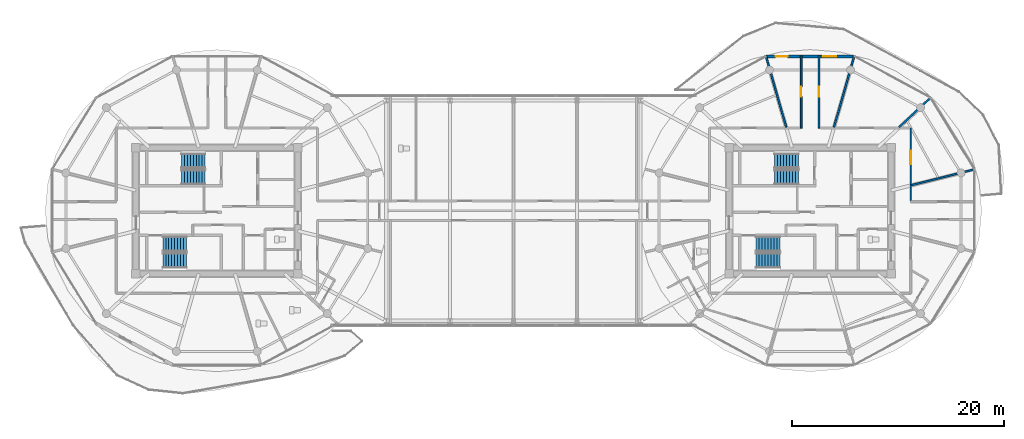
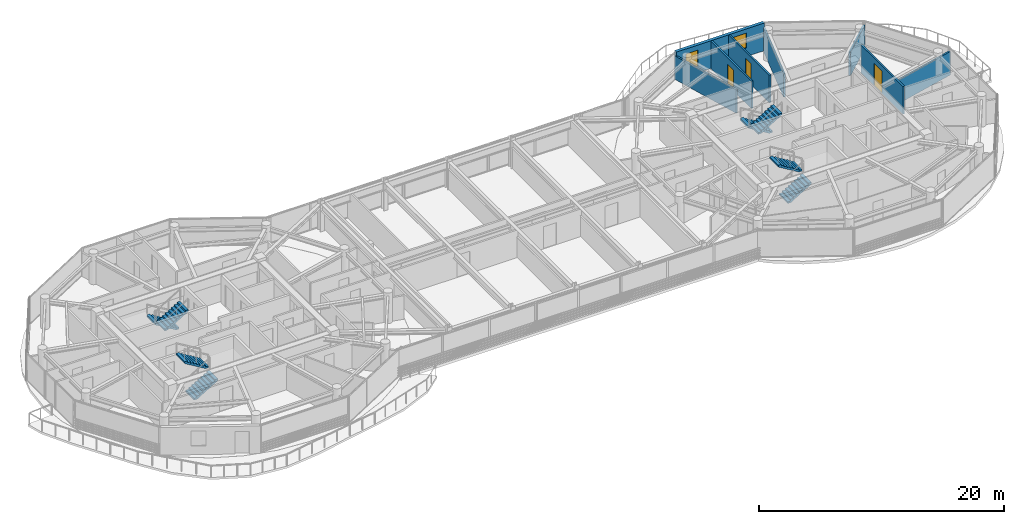
# One storey, part 19 of 24: 8 stair flights, 8 walls, 4 doors, 1 window, 5 openings, 4 elements without a shape of their own.
"""IFC4 building model written with IfcOpenShell, lengths in metres."""

from ifc_helpers import new_model, si_unit, direction, frame, frame_2d, origin, place, context, subcontext, project, spatial, polyline, rectangle, outline, extrude, source, transform, mapped, material, layer, layer_set, type_object, type_shapes, element, fill, aggregate, save


model = new_model("IFC4")

# Units and contexts
model_context = context("Model", 3, precision=1e-05, world=origin(), true_north=direction((0.0, 1.0)))
body_context = subcontext(model_context, "Body", "Model", "MODEL_VIEW")
ifc_project = project(units=[si_unit("LENGTHUNIT", "METRE"), si_unit("AREAUNIT", "SQUARE_METRE"), si_unit("VOLUMEUNIT", "CUBIC_METRE"), si_unit("PLANEANGLEUNIT", "RADIAN"), si_unit("MASSUNIT", "GRAM", prefix="KILO")], contexts=[model_context])

# Site, building, storey
site_placement = place(None, origin())
site = spatial("IfcSite", under=ifc_project, at=site_placement, CompositionType="ELEMENT")
building_placement = place(site_placement, origin())
building = spatial("IfcBuilding", under=site, at=building_placement, Name="Norrkilde Senior Care Towers", CompositionType="ELEMENT")
storey_placement = place(building_placement, frame((0.0, 0.0, 226.10009765625)))
storey = spatial("IfcBuildingStorey", under=building, at=storey_placement, Name="L70", CompositionType="ELEMENT", Elevation=226.10009765625)

# Wall, openings, door, window
ifc_material_1 = material(Name="Precast concrete C45/55", Category="concrete")
ifc_layer_1 = layer(ifc_material_1, 0.2900390625)
ifc_layer_set_1 = layer_set([ifc_layer_1], Name="Precast concrete C45/55")
wall_type_1 = type_object("IfcWallType", Name="Winter Garden Facade Wall 290", PredefinedType="SOLIDWALL", material=ifc_layer_set_1)
shared_shape_1 = source(origin(), body_context, "Body", "SweptSolid", [
    extrude(rectangle(XDim=8.32373046875, YDim=0.2900390625, at=frame_2d((4.161865234375, 0.0))), origin(), (0.0, 0.0, 1.0), 2.760009765625),
])
type_shapes(wall_type_1, [shared_shape_1])
wall_1_placement = place(storey_placement, frame((23.838134765625, 14.566162109375, 0.0), z_axis=(0.0, 0.0, 1.0), x_axis=(1.0, 0.0, 0.0)))
wall_1 = element("IfcWall", 1, at=wall_1_placement, inside=storey, type_object=wall_type_1, Name="L70 Drum E Balcony Access Wall 02", PredefinedType="SOLIDWALL", context=body_context, shape_type="MappedRepresentation", body=[
    mapped(shared_shape_1, transform((0.0, 0.0, 0.0), x_axis=(1.0, 0.0, 0.0), y_axis=(0.0, 1.0, 0.0), z_axis=(0.0, 0.0, 1.0), scale=1.0)),
])
opening_1_placement = place(wall_1_placement, frame((0.89990234375, 0.0, 0.0)))
opening_1 = element("IfcOpeningElement", 2, at=opening_1_placement, cuts=wall_1, Name="Opening D-09", PredefinedType="OPENING", context=body_context, shape_type="SweptSolid", body=[
    extrude(rectangle(XDim=1.14990234375, YDim=2.25, at=frame_2d((0.574951171875, 1.125))), frame((0.0, 0.155029296875, 0.0), z_axis=(0.0, -1.0, 0.0), x_axis=(1.0, 0.0, 0.0)), (0.0, 0.0, 1.0), 0.31005859375),
])
opening_2_placement = place(wall_1_placement, frame((5.411865234375, 0.0, 0.85009765625)))
opening_2 = element("IfcOpeningElement", 3, at=opening_2_placement, cuts=wall_1, Name="Opening WN-07", PredefinedType="OPENING", context=body_context, shape_type="SweptSolid", body=[
    extrude(rectangle(XDim=1.199951171875, YDim=1.5, at=frame_2d((0.60009765625, 0.75))), frame((0.0, 0.155029296875, 0.0), z_axis=(0.0, -1.0, 0.0), x_axis=(1.0, 0.0, 0.0)), (0.0, 0.0, 1.0), 0.31005859375),
])
ifc_material_2 = material(Name="Anodised Aluminium", Category="aluminium")
door_type_1 = type_object("IfcDoorType", Name="Terrace and Balcony Glazed Door 1150x2250", OperationType="NOTDEFINED", PredefinedType="DOOR", material=ifc_material_2)
shared_shape_2 = source(origin(), body_context, "Body", "SweptSolid", [
    extrude(rectangle(XDim=1.14990234375, YDim=2.25, at=frame_2d((0.574951171875, 1.125))), frame((0.0, 0.02490234375, 0.0), z_axis=(0.0, -1.0, 0.0), x_axis=(1.0, 0.0, 0.0)), (0.0, 0.0, 1.0), 0.050048828125),
])
type_shapes(door_type_1, [shared_shape_2])
door_1_placement = place(opening_1_placement, origin())
door_1 = element("IfcDoor", 4, at=door_1_placement, inside=storey, type_object=door_type_1, Name="L70 Drum E Outdoor Terrace Door 02", OperationType="SINGLE_SWING_LEFT", OverallHeight=2.25, OverallWidth=1.14990234375, PredefinedType="DOOR", context=body_context, shape_type="MappedRepresentation", body=[
    mapped(shared_shape_2, transform((0.0, 0.0, 0.0), x_axis=(1.0, 0.0, 0.0), y_axis=(0.0, 1.0, 0.0), z_axis=(0.0, 0.0, 1.0), scale=1.0)),
])
fill(opening_1, door_1)
ifc_material_3 = material(Name="Triple Low-E Insulated Glazing", Category="glass")
window_type = type_object("IfcWindowType", Name="Stairwell Smoke Vent Window 1200x1500", PartitioningType="SINGLE_PANEL", PredefinedType="WINDOW", material=ifc_material_3)
shared_shape_3 = source(origin(), body_context, "Body", "SweptSolid", [
    extrude(rectangle(XDim=1.199951171875, YDim=1.5, at=frame_2d((0.60009765625, 0.75))), frame((0.0, 0.030029296875, 0.0), z_axis=(0.0, -1.0, 0.0), x_axis=(1.0, 0.0, 0.0)), (0.0, 0.0, 1.0), 0.06005859375),
])
type_shapes(window_type, [shared_shape_3])
window_placement = place(opening_2_placement, origin())
window = element("IfcWindow", 5, at=window_placement, inside=storey, type_object=window_type, Name="L70 Drum E Winter Garden Window 02", OverallHeight=1.5, OverallWidth=1.199951171875, PartitioningType="SINGLE_PANEL", PredefinedType="WINDOW", context=body_context, shape_type="MappedRepresentation", body=[
    mapped(shared_shape_3, transform((0.0, 0.0, 0.0), x_axis=(1.0, 0.0, 0.0), y_axis=(0.0, 1.0, 0.0), z_axis=(0.0, 0.0, 1.0), scale=1.0)),
])
fill(opening_2, window)

# Walls
ifc_material_4 = material(Name="Gypsum Acoustic Board")
ifc_layer_2 = layer(ifc_material_4, 0.1650390625)
ifc_layer_set_2 = layer_set([ifc_layer_2], Name="Gypsum Acoustic Board")
wall_type_2 = type_object("IfcWallType", Name="Corridor Rated Partition 165", PredefinedType="PARTITIONING", material=ifc_layer_set_2)
shared_shape_4 = source(origin(), body_context, "Body", "SweptSolid", [
    extrude(rectangle(XDim=6.973876953125, YDim=0.1650390625, at=frame_2d((3.48681640625, 0.0))), origin(), (0.0, 0.0, 1.0), 2.344970703125),
])
for number, where, z_axis, x_axis, name in (
    (6, (30.251220703125, 7.8798828125, 0.0), (0.0, 0.0, 1.0), (0.274707256801, 0.961527910703, 0.0), "WL-INT-L70-E-DEM-02-0"),
    (7, (25.748779296875, 7.8798828125, 0.0), (0.0, 0.0, 1.0), (-0.274707256801, 0.961527910703, 0.0), "WL-INT-L70-E-DEM-03-0"),
):
    element("IfcWall", number, at=place(storey_placement, frame(where, z_axis=z_axis, x_axis=x_axis)), inside=storey, type_object=wall_type_2, Name=name, PredefinedType="PARTITIONING", context=body_context, shape_type="MappedRepresentation", body=[
        mapped(shared_shape_4, transform((0.0, 0.0, 0.0), x_axis=(1.0, 0.0, 0.0), y_axis=(0.0, 1.0, 0.0), z_axis=(0.0, 0.0, 1.0), scale=1.0)),
    ])
shared_shape_5 = source(origin(), body_context, "Body", "SweptSolid", [
    extrude(rectangle(XDim=6.1572265625, YDim=0.1650390625, at=frame_2d((3.07861328125, 0.0))), origin(), (0.0, 0.0, 1.0), 2.344970703125),
])
wall_2_placement = place(storey_placement, frame((37.580078125, 2.407470703125, 0.0), z_axis=(0.0, 0.0, 1.0), x_axis=(0.969840867184, 0.243738984038, 0.0)))
element("IfcWall", 8, at=wall_2_placement, inside=storey, type_object=wall_type_2, Name="WL-INT-L70-E-DEM-00-0", PredefinedType="PARTITIONING", context=body_context, shape_type="MappedRepresentation", body=[
    mapped(shared_shape_5, transform((0.0, 0.0, 0.0), x_axis=(1.0, 0.0, 0.0), y_axis=(0.0, 1.0, 0.0), z_axis=(0.0, 0.0, 1.0), scale=1.0)),
])
ifc_layer_3 = layer(ifc_material_4, 0.18994140625)
ifc_layer_set_3 = layer_set([ifc_layer_3], Name="Gypsum Acoustic Board")
wall_type_3 = type_object("IfcWallType", Name="Unit Demising Acoustic Wall 190", PredefinedType="PARTITIONING", material=ifc_layer_set_3)
shared_shape_6 = source(origin(), body_context, "Body", "SweptSolid", [
    extrude(rectangle(XDim=4.089111328125, YDim=0.18994140625, at=frame_2d((2.04443359375, 0.0))), origin(), (0.0, 0.0, 1.0), 2.344970703125),
])
type_shapes(wall_type_3, [shared_shape_6])
wall_3_placement = place(storey_placement, frame((36.40185546875, 7.8798828125, 0.0), z_axis=(0.0, 0.0, 1.0), x_axis=(0.729401273609, 0.684086092577, 0.0)))
element("IfcWall", 9, at=wall_3_placement, inside=storey, type_object=wall_type_3, Name="WL-INT-L70-E-DEM-01-0", PredefinedType="PARTITIONING", context=body_context, shape_type="MappedRepresentation", body=[
    mapped(shared_shape_6, transform((0.0, 0.0, 0.0), x_axis=(1.0, 0.0, 0.0), y_axis=(0.0, 1.0, 0.0), z_axis=(0.0, 0.0, 1.0), scale=1.0)),
])

# Wall, opening, door
shared_shape_7 = source(origin(), body_context, "Body", "SweptSolid", [
    extrude(rectangle(XDim=6.880126953125, YDim=0.1650390625, at=frame_2d((3.43994140625, 0.0))), origin(), (0.0, 0.0, 1.0), 2.744873046875),
])
wall_4_placement = place(storey_placement, frame((37.5, 7.800048828125, 0.0), z_axis=(0.0, 0.0, 1.0), x_axis=(0.0, -1.0, 0.0)))
wall_4 = element("IfcWall", 10, at=wall_4_placement, inside=storey, type_object=wall_type_2, Name="WL-INT-L70-E-CRW-E-0", PredefinedType="PARTITIONING", context=body_context, shape_type="MappedRepresentation", body=[
    mapped(shared_shape_7, transform((0.0, 0.0, 0.0), x_axis=(1.0, 0.0, 0.0), y_axis=(0.0, 1.0, 0.0), z_axis=(0.0, 0.0, 1.0), scale=1.0)),
])
opening_3_placement = place(wall_4_placement, frame((2.165771484375, 0.0, 0.0)))
opening_3 = element("IfcOpeningElement", 11, at=opening_3_placement, cuts=wall_4, Name="Opening D-05", PredefinedType="OPENING", context=body_context, shape_type="SweptSolid", body=[
    extrude(rectangle(XDim=1.25, YDim=2.199951171875, at=frame_2d((0.625, 1.10009765625))), frame((0.0, 0.092529296875, 0.0), z_axis=(0.0, -1.0, 0.0), x_axis=(1.0, 0.0, 0.0)), (0.0, 0.0, 1.0), 0.18505859375),
])
ifc_material_5 = material(Name="Nordic Ash Timber", Category="wood")
door_type_2 = type_object("IfcDoorType", Name="Care Bedroom Bariatric Door 1250x2200", OperationType="NOTDEFINED", PredefinedType="DOOR", material=ifc_material_5)
shared_shape_8 = source(origin(), body_context, "Body", "SweptSolid", [
    extrude(rectangle(XDim=1.25, YDim=2.199951171875, at=frame_2d((0.625, 1.10009765625))), frame((0.0, 0.02490234375, 0.0), z_axis=(0.0, -1.0, 0.0), x_axis=(1.0, 0.0, 0.0)), (0.0, 0.0, 1.0), 0.050048828125),
])
type_shapes(door_type_2, [shared_shape_8])
door_2_placement = place(opening_3_placement, frame((1.25, 0.0, 0.0), z_axis=(0.0, 0.0, 1.0), x_axis=(-1.0, 0.0, 0.0)))
door_2 = element("IfcDoor", 12, at=door_2_placement, inside=storey, type_object=door_type_2, Name="L70 Sky-Garden Observatory Dining Salon L70 Door", OperationType="SINGLE_SWING_LEFT", OverallHeight=2.199951171875, OverallWidth=1.25, PredefinedType="DOOR", context=body_context, shape_type="MappedRepresentation", body=[
    mapped(shared_shape_8, transform((0.0, 0.0, 0.0), x_axis=(1.0, 0.0, 0.0), y_axis=(0.0, 1.0, 0.0), z_axis=(0.0, 0.0, 1.0), scale=1.0)),
])
fill(opening_3, door_2)

shared_shape_9 = source(origin(), body_context, "Body", "SweptSolid", [
    extrude(rectangle(XDim=6.83544921875, YDim=0.1650390625, at=frame_2d((3.417724609375, 0.0))), origin(), (0.0, 0.0, 1.0), 2.744873046875),
])
type_shapes(wall_type_2, [shared_shape_4, shared_shape_5, shared_shape_7, shared_shape_9])
wall_5_placement = place(storey_placement, frame((27.159912109375, 7.800048828125, 0.0), z_axis=(0.0, 0.0, 1.0), x_axis=(0.0, 1.0, 0.0)))
wall_5 = element("IfcWall", 13, at=wall_5_placement, inside=storey, type_object=wall_type_2, Name="WL-INT-L70-E-SPK-N1-0", PredefinedType="PARTITIONING", context=body_context, shape_type="MappedRepresentation", body=[
    mapped(shared_shape_9, transform((0.0, 0.0, 0.0), x_axis=(1.0, 0.0, 0.0), y_axis=(0.0, 1.0, 0.0), z_axis=(0.0, 0.0, 1.0), scale=1.0)),
])
opening_4_placement = place(wall_5_placement, frame((2.942626953125, 0.0, 0.0)))
opening_4 = element("IfcOpeningElement", 14, at=opening_4_placement, cuts=wall_5, Name="Opening D-07", PredefinedType="OPENING", context=body_context, shape_type="SweptSolid", body=[
    extrude(rectangle(XDim=0.949951171875, YDim=2.10009765625, at=frame_2d((0.47509765625, 1.050048828125))), frame((0.0, 0.092529296875, 0.0), z_axis=(0.0, -1.0, 0.0), x_axis=(1.0, 0.0, 0.0)), (0.0, 0.0, 1.0), 0.18505859375),
])
door_type_3 = type_object("IfcDoorType", Name="Internal Suite Bedroom Door 950x2100", OperationType="NOTDEFINED", PredefinedType="DOOR", material=ifc_material_5)
shared_shape_10 = source(origin(), body_context, "Body", "SweptSolid", [
    extrude(rectangle(XDim=0.949951171875, YDim=2.10009765625, at=frame_2d((0.47509765625, 1.050048828125))), frame((0.0, 0.02490234375, 0.0), z_axis=(0.0, -1.0, 0.0), x_axis=(1.0, 0.0, 0.0)), (0.0, 0.0, 1.0), 0.050048828125),
])
type_shapes(door_type_3, [shared_shape_10])
door_3_placement = place(opening_4_placement, frame((0.949951171875, 0.0, 0.0), z_axis=(0.0, 0.0, 1.0), x_axis=(-1.0, 0.0, 0.0)))
door_3 = element("IfcDoor", 15, at=door_3_placement, inside=storey, type_object=door_type_3, Name="L70 Sun Reading Lounge 3 Door", OperationType="SINGLE_SWING_RIGHT", OverallHeight=2.10009765625, OverallWidth=0.949951171875, PredefinedType="DOOR", context=body_context, shape_type="MappedRepresentation", body=[
    mapped(shared_shape_10, transform((0.0, 0.0, 0.0), x_axis=(1.0, 0.0, 0.0), y_axis=(0.0, 1.0, 0.0), z_axis=(0.0, 0.0, 1.0), scale=1.0)),
])
fill(opening_4, door_3)

wall_6_placement = place(storey_placement, frame((28.840087890625, 14.635498046875, 0.0), z_axis=(0.0, 0.0, 1.0), x_axis=(0.0, -1.0, 0.0)))
wall_6 = element("IfcWall", 16, at=wall_6_placement, inside=storey, type_object=wall_type_2, Name="WL-INT-L70-E-SPK-N2-0", PredefinedType="PARTITIONING", context=body_context, shape_type="MappedRepresentation", body=[
    mapped(shared_shape_9, transform((0.0, 0.0, 0.0), x_axis=(1.0, 0.0, 0.0), y_axis=(0.0, 1.0, 0.0), z_axis=(0.0, 0.0, 1.0), scale=1.0)),
])
opening_5_placement = place(wall_6_placement, frame((2.942626953125, 0.0, 0.0)))
opening_5 = element("IfcOpeningElement", 17, at=opening_5_placement, cuts=wall_6, Name="Opening D-07", PredefinedType="OPENING", context=body_context, shape_type="SweptSolid", body=[
    extrude(rectangle(XDim=0.949951171875, YDim=2.10009765625, at=frame_2d((0.47509765625, 1.050048828125))), frame((0.0, 0.092529296875, 0.0), z_axis=(0.0, -1.0, 0.0), x_axis=(1.0, 0.0, 0.0)), (0.0, 0.0, 1.0), 0.18505859375),
])
door_4_placement = place(opening_5_placement, frame((0.949951171875, 0.0, 0.0), z_axis=(0.0, 0.0, 1.0), x_axis=(-1.0, 0.0, 0.0)))
door_4 = element("IfcDoor", 18, at=door_4_placement, inside=storey, type_object=door_type_3, Name="L70 Sun Reading Lounge 4 Door", OperationType="SINGLE_SWING_LEFT", OverallHeight=2.10009765625, OverallWidth=0.949951171875, PredefinedType="DOOR", context=body_context, shape_type="MappedRepresentation", body=[
    mapped(shared_shape_10, transform((0.0, 0.0, 0.0), x_axis=(1.0, 0.0, 0.0), y_axis=(0.0, 1.0, 0.0), z_axis=(0.0, 0.0, 1.0), scale=1.0)),
])
fill(opening_5, door_4)

# Stair, stair flights
ifc_material_6 = material(Name="Concrete C45/55", Category="concrete")
stair_type = type_object("IfcStairType", Name="Core Protected Dogleg Stair Typical 3050", PredefinedType="HALF_TURN_STAIR", material=ifc_material_6)
stair_1_placement = place(storey_placement, origin())
stair_1 = element("IfcStair", 19, at=stair_1_placement, inside=storey, type_object=stair_type, Name="L70 Protected Core Stair W1", PredefinedType="HALF_TURN_STAIR")
stair_flight_type = type_object("IfcStairFlightType", Name="Core Protected Dogleg Stair Typical 3050 Flight", PredefinedType="STRAIGHT", material=ifc_material_6)
stair_flight_1_placement = place(storey_placement, frame((-29.10009765625, 4.699951171875, 0.0), z_axis=(0.0, 0.0, 1.0), x_axis=(-1.0, 0.0, 0.0)))
stair_flight_1 = element("IfcStairFlight", 20, at=stair_flight_1_placement, type_object=stair_flight_type, Name="ST-W1 flight 1", NumberOfRisers=9, NumberOfTreads=8, PredefinedType="STRAIGHT", RiserHeight=0.169444444, TreadLength=0.28, context=body_context, shape_type="SweptSolid", body=[
    extrude(outline(polyline([(0.0, 0.0), (0.0, 0.16943359375), (0.280029296875, 0.16943359375), (0.280029296875, 0.3388671875), (0.56005859375, 0.3388671875), (0.56005859375, 0.50830078125), (0.840087890625, 0.50830078125), (0.840087890625, 0.677734375), (1.1201171875, 0.677734375), (1.1201171875, 0.84716796875), (1.39990234375, 0.84716796875), (1.39990234375, 1.0166015625), (1.679931640625, 1.0166015625), (1.679931640625, 1.18603515625), (1.9599609375, 1.18603515625), (1.9599609375, 1.35546875), (2.239990234375, 1.35546875), (2.239990234375, 1.52490234375), (2.239990234375, 1.180419921875), (0.28955078125, 0.0), (0.0, 0.0)])), frame((0.0, 0.699951171875, 0.0), z_axis=(0.0, -1.0, 0.0), x_axis=(1.0, 0.0, 0.0)), (0.0, 0.0, 1.0), 1.39990234375),
])
stair_flight_2_placement = place(storey_placement, frame((-31.340087890625, 3.14990234375, 1.52490234375), z_axis=(0.0, 0.0, 1.0), x_axis=(1.0, 0.0, 0.0)))
stair_flight_2 = element("IfcStairFlight", 21, at=stair_flight_2_placement, type_object=stair_flight_type, Name="ST-W1 flight 2", NumberOfRisers=9, NumberOfTreads=8, PredefinedType="STRAIGHT", RiserHeight=0.169444444, TreadLength=0.28, context=body_context, shape_type="SweptSolid", body=[
    extrude(outline(polyline([(0.0, 0.0), (0.0, 0.16943359375), (0.280029296875, 0.16943359375), (0.280029296875, 0.3388671875), (0.56005859375, 0.3388671875), (0.56005859375, 0.50830078125), (0.840087890625, 0.50830078125), (0.840087890625, 0.677734375), (1.1201171875, 0.677734375), (1.1201171875, 0.84716796875), (1.39990234375, 0.84716796875), (1.39990234375, 1.0166015625), (1.679931640625, 1.0166015625), (1.679931640625, 1.18603515625), (1.9599609375, 1.18603515625), (1.9599609375, 1.35546875), (2.239990234375, 1.35546875), (2.239990234375, 1.52490234375), (2.239990234375, 1.180419921875), (0.28955078125, 0.0), (0.0, 0.0)])), frame((0.0, 0.699951171875, 0.0), z_axis=(0.0, -1.0, 0.0), x_axis=(1.0, 0.0, 0.0)), (0.0, 0.0, 1.0), 1.39990234375),
])
aggregate(stair_1, [stair_flight_1, stair_flight_2])

stair_2_placement = place(storey_placement, origin())
stair_2 = element("IfcStair", 22, at=stair_2_placement, inside=storey, type_object=stair_type, Name="L70 Protected Core Stair W2", PredefinedType="HALF_TURN_STAIR")
stair_flight_3_placement = place(storey_placement, frame((-33.10009765625, -4.699951171875, 0.0), z_axis=(0.0, 0.0, 1.0), x_axis=(1.0, 0.0, 0.0)))
stair_flight_3 = element("IfcStairFlight", 23, at=stair_flight_3_placement, type_object=stair_flight_type, Name="ST-W2 flight 1", NumberOfRisers=9, NumberOfTreads=8, PredefinedType="STRAIGHT", RiserHeight=0.169444444, TreadLength=0.28, context=body_context, shape_type="SweptSolid", body=[
    extrude(outline(polyline([(0.0, 0.0), (0.0, 0.16943359375), (0.280029296875, 0.16943359375), (0.280029296875, 0.3388671875), (0.56005859375, 0.3388671875), (0.56005859375, 0.50830078125), (0.840087890625, 0.50830078125), (0.840087890625, 0.677734375), (1.1201171875, 0.677734375), (1.1201171875, 0.84716796875), (1.39990234375, 0.84716796875), (1.39990234375, 1.0166015625), (1.679931640625, 1.0166015625), (1.679931640625, 1.18603515625), (1.9599609375, 1.18603515625), (1.9599609375, 1.35546875), (2.239990234375, 1.35546875), (2.239990234375, 1.52490234375), (2.239990234375, 1.180419921875), (0.28955078125, 0.0), (0.0, 0.0)])), frame((0.0, 0.699951171875, 0.0), z_axis=(0.0, -1.0, 0.0), x_axis=(1.0, 0.0, 0.0)), (0.0, 0.0, 1.0), 1.39990234375),
])
stair_flight_4_placement = place(storey_placement, frame((-30.860107421875, -3.14990234375, 1.52490234375), z_axis=(0.0, 0.0, 1.0), x_axis=(-1.0, 0.0, 0.0)))
stair_flight_4 = element("IfcStairFlight", 24, at=stair_flight_4_placement, type_object=stair_flight_type, Name="ST-W2 flight 2", NumberOfRisers=9, NumberOfTreads=8, PredefinedType="STRAIGHT", RiserHeight=0.169444444, TreadLength=0.28, context=body_context, shape_type="SweptSolid", body=[
    extrude(outline(polyline([(0.0, 0.0), (0.0, 0.16943359375), (0.280029296875, 0.16943359375), (0.280029296875, 0.3388671875), (0.56005859375, 0.3388671875), (0.56005859375, 0.50830078125), (0.840087890625, 0.50830078125), (0.840087890625, 0.677734375), (1.1201171875, 0.677734375), (1.1201171875, 0.84716796875), (1.39990234375, 0.84716796875), (1.39990234375, 1.0166015625), (1.679931640625, 1.0166015625), (1.679931640625, 1.18603515625), (1.9599609375, 1.18603515625), (1.9599609375, 1.35546875), (2.239990234375, 1.35546875), (2.239990234375, 1.52490234375), (2.239990234375, 1.180419921875), (0.28955078125, 0.0), (0.0, 0.0)])), frame((0.0, 0.699951171875, 0.0), z_axis=(0.0, -1.0, 0.0), x_axis=(1.0, 0.0, 0.0)), (0.0, 0.0, 1.0), 1.39990234375),
])
aggregate(stair_2, [stair_flight_3, stair_flight_4])

stair_3_placement = place(storey_placement, origin())
stair_3 = element("IfcStair", 25, at=stair_3_placement, inside=storey, type_object=stair_type, Name="L70 Protected Core Stair E1", PredefinedType="HALF_TURN_STAIR")
stair_flight_5_placement = place(storey_placement, frame((26.89990234375, 4.699951171875, 0.0), z_axis=(0.0, 0.0, 1.0), x_axis=(-1.0, 0.0, 0.0)))
stair_flight_5 = element("IfcStairFlight", 26, at=stair_flight_5_placement, type_object=stair_flight_type, Name="ST-E1 flight 1", NumberOfRisers=9, NumberOfTreads=8, PredefinedType="STRAIGHT", RiserHeight=0.169444444, TreadLength=0.28, context=body_context, shape_type="SweptSolid", body=[
    extrude(outline(polyline([(0.0, 0.0), (0.0, 0.16943359375), (0.280029296875, 0.16943359375), (0.280029296875, 0.3388671875), (0.56005859375, 0.3388671875), (0.56005859375, 0.50830078125), (0.840087890625, 0.50830078125), (0.840087890625, 0.677734375), (1.1201171875, 0.677734375), (1.1201171875, 0.84716796875), (1.39990234375, 0.84716796875), (1.39990234375, 1.0166015625), (1.679931640625, 1.0166015625), (1.679931640625, 1.18603515625), (1.9599609375, 1.18603515625), (1.9599609375, 1.35546875), (2.239990234375, 1.35546875), (2.239990234375, 1.52490234375), (2.239990234375, 1.180419921875), (0.28955078125, 0.0), (0.0, 0.0)])), frame((0.0, 0.699951171875, 0.0), z_axis=(0.0, -1.0, 0.0), x_axis=(1.0, 0.0, 0.0)), (0.0, 0.0, 1.0), 1.39990234375),
])
stair_flight_6_placement = place(storey_placement, frame((24.659912109375, 3.14990234375, 1.52490234375), z_axis=(0.0, 0.0, 1.0), x_axis=(1.0, 0.0, 0.0)))
stair_flight_6 = element("IfcStairFlight", 27, at=stair_flight_6_placement, type_object=stair_flight_type, Name="ST-E1 flight 2", NumberOfRisers=9, NumberOfTreads=8, PredefinedType="STRAIGHT", RiserHeight=0.169444444, TreadLength=0.28, context=body_context, shape_type="SweptSolid", body=[
    extrude(outline(polyline([(0.0, 0.0), (0.0, 0.16943359375), (0.280029296875, 0.16943359375), (0.280029296875, 0.3388671875), (0.56005859375, 0.3388671875), (0.56005859375, 0.50830078125), (0.840087890625, 0.50830078125), (0.840087890625, 0.677734375), (1.1201171875, 0.677734375), (1.1201171875, 0.84716796875), (1.39990234375, 0.84716796875), (1.39990234375, 1.0166015625), (1.679931640625, 1.0166015625), (1.679931640625, 1.18603515625), (1.9599609375, 1.18603515625), (1.9599609375, 1.35546875), (2.239990234375, 1.35546875), (2.239990234375, 1.52490234375), (2.239990234375, 1.180419921875), (0.28955078125, 0.0), (0.0, 0.0)])), frame((0.0, 0.699951171875, 0.0), z_axis=(0.0, -1.0, 0.0), x_axis=(1.0, 0.0, 0.0)), (0.0, 0.0, 1.0), 1.39990234375),
])
aggregate(stair_3, [stair_flight_5, stair_flight_6])

stair_4_placement = place(storey_placement, origin())
stair_4 = element("IfcStair", 28, at=stair_4_placement, inside=storey, type_object=stair_type, Name="L70 Protected Core Stair E2", PredefinedType="HALF_TURN_STAIR")
stair_flight_7_placement = place(storey_placement, frame((22.89990234375, -4.699951171875, 0.0), z_axis=(0.0, 0.0, 1.0), x_axis=(1.0, 0.0, 0.0)))
stair_flight_7 = element("IfcStairFlight", 29, at=stair_flight_7_placement, type_object=stair_flight_type, Name="ST-E2 flight 1", NumberOfRisers=9, NumberOfTreads=8, PredefinedType="STRAIGHT", RiserHeight=0.169444444, TreadLength=0.28, context=body_context, shape_type="SweptSolid", body=[
    extrude(outline(polyline([(0.0, 0.0), (0.0, 0.16943359375), (0.280029296875, 0.16943359375), (0.280029296875, 0.3388671875), (0.56005859375, 0.3388671875), (0.56005859375, 0.50830078125), (0.840087890625, 0.50830078125), (0.840087890625, 0.677734375), (1.1201171875, 0.677734375), (1.1201171875, 0.84716796875), (1.39990234375, 0.84716796875), (1.39990234375, 1.0166015625), (1.679931640625, 1.0166015625), (1.679931640625, 1.18603515625), (1.9599609375, 1.18603515625), (1.9599609375, 1.35546875), (2.239990234375, 1.35546875), (2.239990234375, 1.52490234375), (2.239990234375, 1.180419921875), (0.28955078125, 0.0), (0.0, 0.0)])), frame((0.0, 0.699951171875, 0.0), z_axis=(0.0, -1.0, 0.0), x_axis=(1.0, 0.0, 0.0)), (0.0, 0.0, 1.0), 1.39990234375),
])
stair_flight_8_placement = place(storey_placement, frame((25.139892578125, -3.14990234375, 1.52490234375), z_axis=(0.0, 0.0, 1.0), x_axis=(-1.0, 0.0, 0.0)))
stair_flight_8 = element("IfcStairFlight", 30, at=stair_flight_8_placement, type_object=stair_flight_type, Name="ST-E2 flight 2", NumberOfRisers=9, NumberOfTreads=8, PredefinedType="STRAIGHT", RiserHeight=0.169444444, TreadLength=0.28, context=body_context, shape_type="SweptSolid", body=[
    extrude(outline(polyline([(0.0, 0.0), (0.0, 0.16943359375), (0.280029296875, 0.16943359375), (0.280029296875, 0.3388671875), (0.56005859375, 0.3388671875), (0.56005859375, 0.50830078125), (0.840087890625, 0.50830078125), (0.840087890625, 0.677734375), (1.1201171875, 0.677734375), (1.1201171875, 0.84716796875), (1.39990234375, 0.84716796875), (1.39990234375, 1.0166015625), (1.679931640625, 1.0166015625), (1.679931640625, 1.18603515625), (1.9599609375, 1.18603515625), (1.9599609375, 1.35546875), (2.239990234375, 1.35546875), (2.239990234375, 1.52490234375), (2.239990234375, 1.180419921875), (0.28955078125, 0.0), (0.0, 0.0)])), frame((0.0, 0.699951171875, 0.0), z_axis=(0.0, -1.0, 0.0), x_axis=(1.0, 0.0, 0.0)), (0.0, 0.0, 1.0), 1.39990234375),
])
aggregate(stair_4, [stair_flight_7, stair_flight_8])

save(model, "model.ifc")
